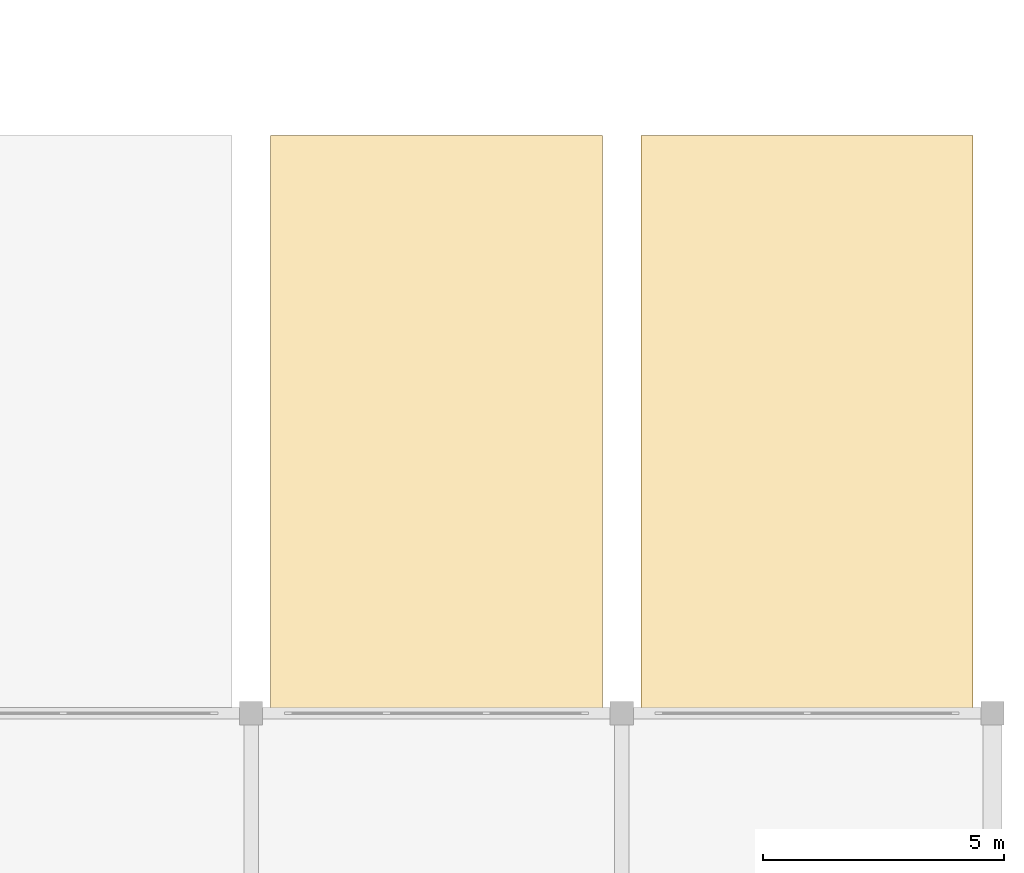
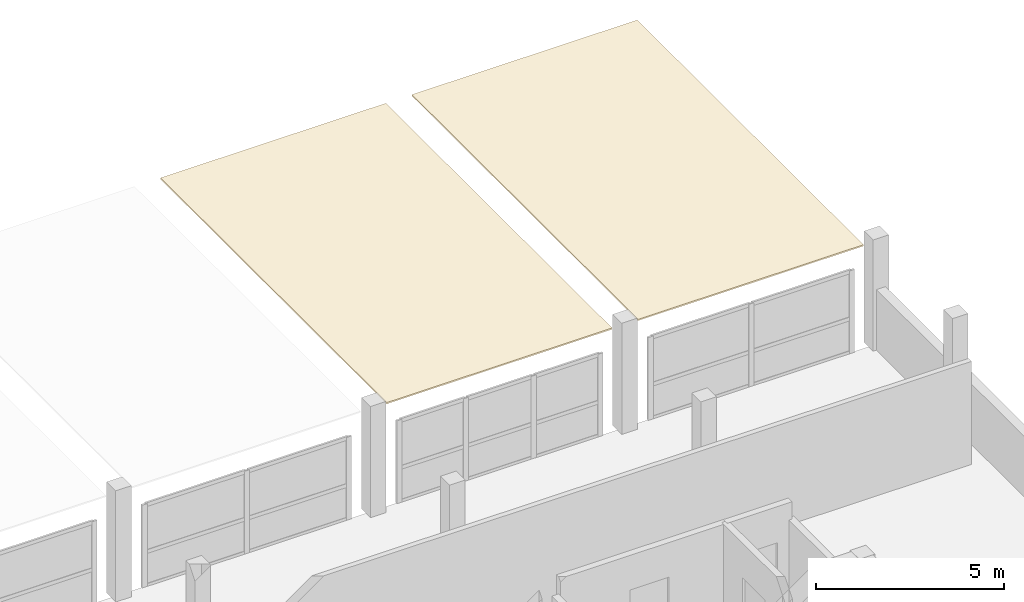
# One storey, part 51 of 51: 2 coverings.
"""IFC4 building model written with IfcOpenShell, lengths in metres."""

from ifc_helpers import new_model, si_unit, direction, frame, origin, place, context, subcontext, project, spatial, polyline, outline, extrude, material, layer, layer_set, type_object, element, save


model = new_model("IFC4")

# Units and contexts
model_context = context("Model", 3, precision=1e-05, world=origin(), true_north=direction((0.0, 1.0)))
body_context = subcontext(model_context, "Body", "Model", "MODEL_VIEW")
ifc_project = project(units=[si_unit("LENGTHUNIT", "METRE"), si_unit("AREAUNIT", "SQUARE_METRE"), si_unit("VOLUMEUNIT", "CUBIC_METRE"), si_unit("PLANEANGLEUNIT", "RADIAN"), si_unit("MASSUNIT", "GRAM", prefix="KILO")], contexts=[model_context])

# Site, building, storey
site_placement = place(None, origin())
site = spatial("IfcSite", under=ifc_project, at=site_placement, CompositionType="ELEMENT")
building_placement = place(site_placement, origin())
building = spatial("IfcBuilding", under=site, at=building_placement, Name="Vharandega Faculty of Natural Sciences", CompositionType="ELEMENT")
storey_placement = place(building_placement, frame((0.0, 0.0, 18.0)))
storey = spatial("IfcBuildingStorey", under=building, at=storey_placement, Name="L04", CompositionType="ELEMENT", Elevation=18.0)

# Coverings
ifc_material = material(Name="Warm amber spruce timber soffit boarding", Category="wood")
ifc_layer = layer(ifc_material, 0.044921875, Name="Warm amber spruce timber soffit boarding")
ifc_layer_set = layer_set([ifc_layer], Name="Warm amber spruce timber soffit boarding")
covering_type = type_object("IfcCoveringType", Name="Warm Amber Spruce Soffit Boarding", PredefinedType="CEILING", material=ifc_layer_set)
covering_1_placement = place(storey_placement, frame((0.0, 0.0, 3.31494140625)))
element("IfcCovering", 1, at=covering_1_placement, inside=storey, type_object=covering_type, Name="Cantilever Warm Amber Timber Soffit Bay 4", PredefinedType="CEILING", context=body_context, shape_type="SweptSolid", body=[
    extrude(outline(polyline([(146.39990234375, 85.0), (153.300048828125, 85.0), (153.300048828125, 97.0), (146.39990234375, 97.0), (146.39990234375, 85.0)])), origin(), (0.0, 0.0, 1.0), 0.045166015625),
])
covering_2_placement = place(storey_placement, frame((0.0, 0.0, 3.31494140625)))
element("IfcCovering", 2, at=covering_2_placement, inside=storey, type_object=covering_type, Name="Cantilever Warm Amber Timber Soffit Bay 5", PredefinedType="CEILING", context=body_context, shape_type="SweptSolid", body=[
    extrude(outline(polyline([(154.10009765625, 85.0), (161.0, 85.0), (161.0, 97.0), (154.10009765625, 97.0), (154.10009765625, 85.0)])), origin(), (0.0, 0.0, 1.0), 0.045166015625),
])

save(model, "model.ifc")
